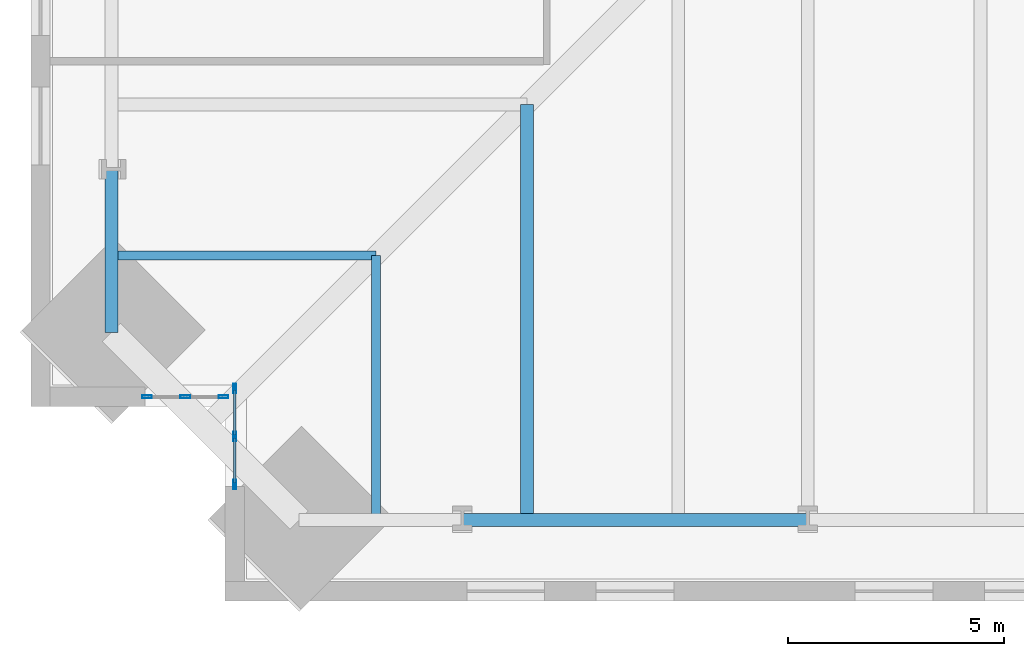
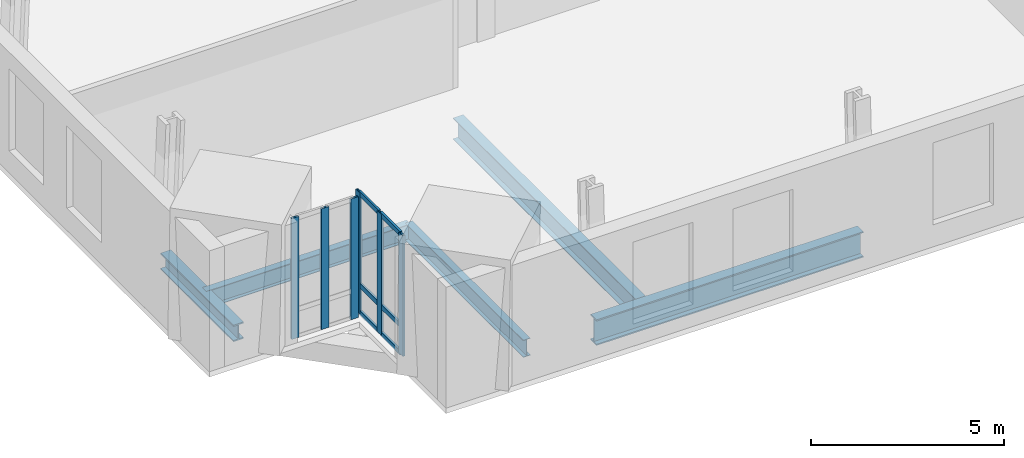
# One storey, part 2 of 18: 12 members, 5 beams, 2 elements without a shape of their own.
"""IFC4 building model written with IfcOpenShell, lengths in metres."""

import ifcopenshell
import ifcopenshell.guid

model = None  # the IFC model being written
_history = None  # IfcOwnerHistory: only IFC2X3 demands one
_inside = {}  # id of a spatial element -> (the spatial element, [elements in it])
_under = {}  # id of a project, library or spatial element -> (it, [spatial elements below it])
_declared = {}  # id of a project -> (the project, [libraries it declares])
_typed = {}  # id of a type object -> (the type object, [elements of that type])
_made_of = {}  # id of a material, layer set ... -> (it, [elements and type objects made of it])


def new_model(schema):
    """Start an empty IFC model of exactly this schema.

    Asked for "IFC4X3", IfcOpenShell would pick the latest addendum, in which some entities
    have other attributes; the version numbers below select the first issue.
    IFC2X3 requires an IfcOwnerHistory on every rooted entity: one is made here for all.
    """
    global model, _history
    if schema == "IFC4X3":
        model = ifcopenshell.file(schema_version=(4, 3, 0, 0))
    else:
        model = ifcopenshell.file(schema=schema)
    _inside.clear()
    _under.clear()
    _declared.clear()
    _typed.clear()
    _made_of.clear()
    _history = None
    if model.schema == "IFC2X3":
        org = make("IfcOrganization", Name="unknown")
        user = make(
            "IfcPersonAndOrganization",
            ThePerson=make("IfcPerson", FamilyName="unknown"),
            TheOrganization=org,
        )
        app = make(
            "IfcApplication",
            ApplicationDeveloper=org,
            Version="unknown",
            ApplicationFullName="unknown",
            ApplicationIdentifier="unknown",
        )
        _history = make(
            "IfcOwnerHistory",
            OwningUser=user,
            OwningApplication=app,
            ChangeAction="ADDED",
            CreationDate=0,
        )
    return model


def make(cls, **values):
    """One entity of the class cls with the attributes given. An attribute that is None is left unset."""
    return model.create_entity(
        cls, **{name: value for name, value in values.items() if value is not None}
    )


def rooted(cls, **values):
    """An entity with a GlobalId (a new one), such as an element, a storey or a relation."""
    return make(cls, GlobalId=ifcopenshell.guid.new(), OwnerHistory=_history, **values)


def si_unit(unit_type, name, prefix=None):
    """IfcSIUnit, for example si_unit("LENGTHUNIT", "METRE", prefix="MILLI")."""
    return make("IfcSIUnit", UnitType=unit_type, Prefix=prefix, Name=name)


def assignment(units):
    """IfcUnitAssignment: the units of a project."""
    return None if units is None else make("IfcUnitAssignment", Units=units)


def point(xyz):
    """IfcCartesianPoint."""
    return None if xyz is None else make("IfcCartesianPoint", Coordinates=xyz)


def direction(xyz):
    """IfcDirection."""
    return None if xyz is None else make("IfcDirection", DirectionRatios=xyz)


def frame(location, z_axis=None, x_axis=None):
    """IfcAxis2Placement3D, a coordinate frame: its origin and axes. An axis left out is left unset."""
    return make(
        "IfcAxis2Placement3D",
        Location=point(location),
        Axis=direction(z_axis),
        RefDirection=direction(x_axis),
    )


def frame_2d(location, x_axis=None):
    """IfcAxis2Placement2D, a coordinate frame in the plane: its origin and x axis."""
    return make(
        "IfcAxis2Placement2D", Location=point(location), RefDirection=direction(x_axis)
    )


def origin():
    """The frame at (0, 0, 0) with its axes left unset."""
    return frame((0.0, 0.0, 0.0))


def origin_2d():
    """The frame at (0, 0) in the plane with its x axis left unset."""
    return frame_2d((0.0, 0.0))


def place(relative_to, where):
    """IfcLocalPlacement: puts the frame where relative to a parent placement (None: the world)."""
    return make(
        "IfcLocalPlacement", PlacementRelTo=relative_to, RelativePlacement=where
    )


def context(
    kind, dimensions, precision=None, world=None, true_north=None, identifier=None
):
    """IfcGeometricRepresentationContext, for example the 3D "Model" context."""
    return make(
        "IfcGeometricRepresentationContext",
        ContextIdentifier=identifier,
        ContextType=kind,
        CoordinateSpaceDimension=dimensions,
        Precision=precision,
        WorldCoordinateSystem=world,
        TrueNorth=true_north,
    )


def subcontext(parent, identifier, kind, view, scale=None):
    """IfcGeometricRepresentationSubContext, for example "Body" below "Model"."""
    return make(
        "IfcGeometricRepresentationSubContext",
        ContextIdentifier=identifier,
        ContextType=kind,
        ParentContext=parent,
        TargetScale=scale,
        TargetView=view,
    )


def project(units=None, contexts=None):
    """IfcProject with its units and contexts."""
    return rooted(
        "IfcProject",
        Name="project",
        RepresentationContexts=contexts,
        UnitsInContext=assignment(units),
    )


def spatial(cls, under=None, at=None, **own):
    """A site, building, storey or space (cls), placed at a placement, below another one or the project."""
    s = rooted(cls, ObjectPlacement=at, **own)
    if under is not None:
        _under.setdefault(under.id(), (under, []))[1].append(s)
    return s


def profile(cls, at=None, kind="AREA", **sizes):
    """A parametric profile (cls). Its sizes go by their IFC names, for example OverallWidth=200.0."""
    return make(cls, ProfileType=kind, Position=at, **sizes)


def hollow_rectangle(**sizes):
    """IfcRectangleHollowProfileDef."""
    return profile("IfcRectangleHollowProfileDef", **sizes)


def i_section(**sizes):
    """IfcIShapeProfileDef."""
    return profile("IfcIShapeProfileDef", **sizes)


def extrude(swept, where, along, depth):
    """IfcExtrudedAreaSolid: the profile swept, set in the frame where, extruded along a direction by depth."""
    return make(
        "IfcExtrudedAreaSolid",
        SweptArea=swept,
        Position=where,
        ExtrudedDirection=direction(along),
        Depth=depth,
    )


def shape(context_of_items, identifier, shape_type, items):
    """IfcShapeRepresentation: the items that make up one representation, for example the "Body"."""
    return make(
        "IfcShapeRepresentation",
        ContextOfItems=context_of_items,
        RepresentationIdentifier=identifier,
        RepresentationType=shape_type,
        Items=items,
    )


def material(Name=None, Category=None):
    """IfcMaterial."""
    return make("IfcMaterial", Name=Name, Category=Category)


def material_profile(
    of_material, cross_section, Name=None, Category=None, Priority=None
):
    """IfcMaterialProfile: a cross section and its material."""
    return make(
        "IfcMaterialProfile",
        Name=Name,
        Material=of_material,
        Profile=cross_section,
        Priority=Priority,
        Category=Category,
    )


def profile_set(profiles, Name=None, composite=None):
    """IfcMaterialProfileSet."""
    return make(
        "IfcMaterialProfileSet",
        Name=Name,
        MaterialProfiles=profiles,
        CompositeProfile=composite,
    )


def made_of(thing, what):
    """Note that an element or type object is made of a material, layer set ...; save() writes the relation."""
    if what is not None:
        _made_of.setdefault(what.id(), (what, []))[1].append(thing)
    return thing


def type_object(cls, material=None, **own):
    """A type object (cls), such as IfcWallType, which elements share."""
    return made_of(rooted(cls, **own), material)


def element(
    cls,
    number,
    at=None,
    inside=None,
    cuts=None,
    type_object=None,
    material=None,
    context=None,
    identifier="Body",
    shape_type=None,
    held_by="IfcProductDefinitionShape",
    body=None,
    shapes=None,
    **own,
):
    """One element of the class cls, such as IfcWall. Its Tag is "e" and its number.

    at: its placement. inside: the storey or other place that contains it. cuts: it is an
    opening in that element (IfcRelVoidsElement). A single representation is given by context,
    identifier, shape_type and body (its items); several are given by shapes. held_by: the class
    of the entity that holds the representations. save() writes the other relations.
    """
    e = rooted(cls, Tag="e%d" % number, ObjectPlacement=at, **own)
    if body is not None:
        shapes = [shape(context, identifier, shape_type, body)]
    if shapes is not None:
        e.Representation = make(held_by, Representations=shapes)
    if inside is not None:
        _inside.setdefault(inside.id(), (inside, []))[1].append(e)
    if cuts is not None:
        rooted(
            "IfcRelVoidsElement", RelatingBuildingElement=cuts, RelatedOpeningElement=e
        )
    if type_object is not None:
        _typed.setdefault(type_object.id(), (type_object, []))[1].append(e)
    return made_of(e, material)


def aggregate(whole, parts):
    """IfcRelAggregates: a whole, such as a stair, and the parts it consists of."""
    return rooted("IfcRelAggregates", RelatingObject=whole, RelatedObjects=parts)


def save(model, path):
    """Write the relations noted so far, then the file.

    IfcRelAggregates (storeys below a building ...), IfcRelContainedInSpatialStructure (elements
    in a storey), IfcRelDefinesByType, IfcRelAssociatesMaterial and IfcRelDeclares: one each for
    every whole, place, type object, material and project.
    """
    for whole, parts in _under.values():
        aggregate(whole, parts)
    for where, things in _inside.values():
        rooted(
            "IfcRelContainedInSpatialStructure",
            RelatedElements=things,
            RelatingStructure=where,
        )
    for kind, things in _typed.values():
        rooted("IfcRelDefinesByType", RelatedObjects=things, RelatingType=kind)
    for what, things in _made_of.values():
        rooted("IfcRelAssociatesMaterial", RelatedObjects=things, RelatingMaterial=what)
    for by, libraries in _declared.values():
        rooted("IfcRelDeclares", RelatingContext=by, RelatedDefinitions=libraries)
    model.write(path)


model = new_model("IFC4")

# Units and contexts
model_context = context("Model", 3, precision=1e-05, world=origin(), true_north=direction((0.0, 1.0)))
body_context = subcontext(model_context, "Body", "Model", "MODEL_VIEW")
ifc_project = project(units=[si_unit("LENGTHUNIT", "METRE"), si_unit("AREAUNIT", "SQUARE_METRE"), si_unit("VOLUMEUNIT", "CUBIC_METRE"), si_unit("PLANEANGLEUNIT", "RADIAN"), si_unit("MASSUNIT", "GRAM", prefix="KILO")], contexts=[model_context])

# Site, building, storey
site_placement = place(None, origin())
site = spatial("IfcSite", under=ifc_project, at=site_placement, CompositionType="ELEMENT")
building_placement = place(site_placement, origin())
building = spatial("IfcBuilding", under=site, at=building_placement, Name="Peilmerk Tower", CompositionType="ELEMENT")
storey_placement = place(building_placement, frame((0.0, 0.0, 167.800048828125)))
storey = spatial("IfcBuildingStorey", under=building, at=storey_placement, Name="L35", CompositionType="ELEMENT", Elevation=167.800048828125)

# Beams
ifc_material_1 = material(Name="Steel S355", Category="steel")
ifc_material_profile_1 = material_profile(ifc_material_1, i_section(OverallWidth=0.2099609375, OverallDepth=0.550048828125, WebThickness=0.010986328125, FlangeThickness=0.01708984375, at=origin_2d()), Name="IPE 550")
ifc_profile_set_1 = profile_set([ifc_material_profile_1], Name="Steel S355")
beam_type_1 = type_object("IfcBeamType", Name="B12 IPE 550 floor beam", PredefinedType="BEAM", material=ifc_profile_set_1)
for number, where, z_axis, x_axis, name in (
    (1, (-18.0, -18.0, -0.445068359375), (0.0, -1.0, 0.0), (1.0, 0.0, 0.0), "Floor beam L35"),
    (2, (-18.0, -18.0, -0.445068359375), (-1.0, 0.0, 0.0), (0.0, -1.0, 0.0), "Floor beam L35"),
):
    element("IfcBeam", number, at=place(storey_placement, frame(where, z_axis=z_axis, x_axis=x_axis)), inside=storey, type_object=beam_type_1, Name=name, PredefinedType="BEAM", context=body_context, shape_type="SweptSolid", body=[
        extrude(i_section(OverallWidth=0.2099609375, OverallDepth=0.550048828125, WebThickness=0.010986328125, FlangeThickness=0.01708984375, at=origin_2d()), origin(), (0.0, 0.0, 1.0), 6.130615234375),
    ])
ifc_material_profile_2 = material_profile(ifc_material_1, i_section(OverallWidth=0.302978515625, OverallDepth=0.81396484375, WebThickness=0.02099609375, FlangeThickness=0.0400390625, at=origin_2d()), Name="HEM 800")
ifc_profile_set_2 = profile_set([ifc_material_profile_2], Name="Steel S355")
beam_type_2 = type_object("IfcBeamType", Name="B15 HEM 800 edge beam", PredefinedType="SPANDREL", material=ifc_profile_set_2)
beam_1_placement = place(storey_placement, frame((-16.0, -24.130615234375, -0.5771484375), z_axis=(1.0, 0.0, 0.0), x_axis=(0.0, 1.0, 0.0)))
element("IfcBeam", 3, at=beam_1_placement, inside=storey, type_object=beam_type_2, Name="Edge beam L35", PredefinedType="SPANDREL", context=body_context, shape_type="SweptSolid", body=[
    extrude(i_section(OverallWidth=0.302978515625, OverallDepth=0.81396484375, WebThickness=0.02099609375, FlangeThickness=0.0400390625, at=origin_2d()), origin(), (0.0, 0.0, 1.0), 8.0),
])
ifc_material_profile_3 = material_profile(ifc_material_1, i_section(OverallWidth=0.300048828125, OverallDepth=0.68994140625, WebThickness=0.014404296875, FlangeThickness=0.027099609375, at=origin_2d()), Name="HEA 700")
ifc_profile_set_3 = profile_set([ifc_material_profile_3], Name="Steel S355")
beam_type_3 = type_object("IfcBeamType", Name="B16 HEA 700 floor beam", PredefinedType="BEAM", material=ifc_profile_set_3)
beam_2_placement = place(storey_placement, frame((-14.5, -14.5, -0.51513671875), z_axis=(0.0, -1.0, 0.0), x_axis=(1.0, 0.0, 0.0)))
element("IfcBeam", 4, at=beam_2_placement, inside=storey, type_object=beam_type_3, Name="Floor beam L35", PredefinedType="BEAM", context=body_context, shape_type="SweptSolid", body=[
    extrude(i_section(OverallWidth=0.300048828125, OverallDepth=0.68994140625, WebThickness=0.014404296875, FlangeThickness=0.027099609375, at=origin_2d()), origin(), (0.0, 0.0, 1.0), 9.630615234375),
])
ifc_material_profile_4 = material_profile(ifc_material_1, i_section(OverallWidth=0.305908203125, OverallDepth=0.52392578125, WebThickness=0.02099609375, FlangeThickness=0.0400390625, at=origin_2d()), Name="HEM 500")
ifc_profile_set_4 = profile_set([ifc_material_profile_4], Name="Steel S355")
beam_type_4 = type_object("IfcBeamType", Name="B33 HEM 500 edge beam", PredefinedType="SPANDREL", material=ifc_profile_set_4)
beam_3_placement = place(storey_placement, frame((-24.130615234375, -16.0, -0.43212890625), z_axis=(0.0, -1.0, 0.0), x_axis=(1.0, 0.0, 0.0)))
element("IfcBeam", 5, at=beam_3_placement, inside=storey, type_object=beam_type_4, Name="Edge beam L35", PredefinedType="SPANDREL", context=body_context, shape_type="SweptSolid", body=[
    extrude(i_section(OverallWidth=0.305908203125, OverallDepth=0.52392578125, WebThickness=0.02099609375, FlangeThickness=0.0400390625, at=origin_2d()), origin(), (0.0, 0.0, 1.0), 3.78076171875),
])

# Curtain wall, members
ifc_material_2 = material(Name="Aluminium stick curtain wall", Category="aluminium")
curtain_wall_type = type_object("IfcCurtainWallType", Name="CW3 stick curtain wall, 2250 module", PredefinedType="NOTDEFINED", material=ifc_material_2)
curtain_wall_1_placement = place(storey_placement, origin())
curtain_wall_1 = element("IfcCurtainWall", 6, at=curtain_wall_1_placement, inside=storey, type_object=curtain_wall_type, Name="Curtain wall CW3 SWA L35", PredefinedType="NOTDEFINED")
ifc_material_3 = material(Name="Aluminium EN AW-6063 T6", Category="aluminium")
ifc_material_profile_5 = material_profile(ifc_material_3, hollow_rectangle(XDim=0.06494140625, YDim=0.22509765625, WallThickness=0.00390625, at=origin_2d()), Name="AL 225x65x4")
ifc_profile_set_5 = profile_set([ifc_material_profile_5], Name="Aluminium EN AW-6063 T6")
member_type_1 = type_object("IfcMemberType", Name="CW3-M AL 225x65x4 mullion", PredefinedType="MULLION", material=ifc_profile_set_5)
member_1_placement = place(storey_placement, frame((-21.27490234375, -21.08251953125, 0.0), z_axis=(0.0, 0.0, 1.0), x_axis=(1.0, 0.0, 0.0)))
member_1 = element("IfcMember", 7, at=member_1_placement, type_object=member_type_1, Name="CW3 mullion 1", PredefinedType="MULLION", context=body_context, shape_type="SweptSolid", body=[
    extrude(hollow_rectangle(XDim=0.06494140625, YDim=0.22509765625, WallThickness=0.00390625, at=origin_2d()), origin(), (0.0, 0.0, 1.0), 3.829833984375),
])
member_2_placement = place(storey_placement, frame((-21.27490234375, -22.1943359375, 0.0), z_axis=(0.0, 0.0, 1.0), x_axis=(1.0, 0.0, 0.0)))
member_2 = element("IfcMember", 8, at=member_2_placement, type_object=member_type_1, Name="CW3 mullion 2", PredefinedType="MULLION", context=body_context, shape_type="SweptSolid", body=[
    extrude(hollow_rectangle(XDim=0.06494140625, YDim=0.22509765625, WallThickness=0.00390625, at=origin_2d()), origin(), (0.0, 0.0, 1.0), 3.829833984375),
])
member_3_placement = place(storey_placement, frame((-21.27490234375, -23.30615234375, 0.0), z_axis=(0.0, 0.0, 1.0), x_axis=(1.0, 0.0, 0.0)))
member_3 = element("IfcMember", 9, at=member_3_placement, type_object=member_type_1, Name="CW3 mullion 3", PredefinedType="MULLION", context=body_context, shape_type="SweptSolid", body=[
    extrude(hollow_rectangle(XDim=0.06494140625, YDim=0.22509765625, WallThickness=0.00390625, at=origin_2d()), origin(), (0.0, 0.0, 1.0), 3.829833984375),
])

curtain_wall_2_placement = place(storey_placement, origin())
curtain_wall_2 = element("IfcCurtainWall", 10, at=curtain_wall_2_placement, inside=storey, type_object=curtain_wall_type, Name="Curtain wall CW3 SWB L35", PredefinedType="NOTDEFINED")
member_4_placement = place(storey_placement, frame((-21.532470703125, -21.27490234375, 0.0), z_axis=(0.0, 0.0, 1.0), x_axis=(0.0, -1.0, 0.0)))
member_4 = element("IfcMember", 11, at=member_4_placement, type_object=member_type_1, Name="CW3 mullion 1", PredefinedType="MULLION", context=body_context, shape_type="SweptSolid", body=[
    extrude(hollow_rectangle(XDim=0.06494140625, YDim=0.22509765625, WallThickness=0.00390625, at=origin_2d()), origin(), (0.0, 0.0, 1.0), 3.829833984375),
])
member_5_placement = place(storey_placement, frame((-22.41943359375, -21.27490234375, 0.0), z_axis=(0.0, 0.0, 1.0), x_axis=(0.0, -1.0, 0.0)))
member_5 = element("IfcMember", 12, at=member_5_placement, type_object=member_type_1, Name="CW3 mullion 2", PredefinedType="MULLION", context=body_context, shape_type="SweptSolid", body=[
    extrude(hollow_rectangle(XDim=0.06494140625, YDim=0.22509765625, WallThickness=0.00390625, at=origin_2d()), origin(), (0.0, 0.0, 1.0), 3.829833984375),
])
member_6_placement = place(storey_placement, frame((-23.30615234375, -21.27490234375, 0.0), z_axis=(0.0, 0.0, 1.0), x_axis=(0.0, -1.0, 0.0)))
member_6 = element("IfcMember", 13, at=member_6_placement, type_object=member_type_1, Name="CW3 mullion 3", PredefinedType="MULLION", context=body_context, shape_type="SweptSolid", body=[
    extrude(hollow_rectangle(XDim=0.06494140625, YDim=0.22509765625, WallThickness=0.00390625, at=origin_2d()), origin(), (0.0, 0.0, 1.0), 3.829833984375),
])
aggregate(curtain_wall_2, [member_4, member_5, member_6])

# Member
ifc_material_profile_6 = material_profile(ifc_material_3, hollow_rectangle(XDim=0.06494140625, YDim=0.14990234375, WallThickness=0.0029296875, at=origin_2d()), Name="AL 150x65x3")
ifc_profile_set_6 = profile_set([ifc_material_profile_6], Name="Aluminium EN AW-6063 T6")
member_type_2 = type_object("IfcMemberType", Name="CW3-T AL 150x65x3 transom", PredefinedType="USERDEFINED", material=ifc_profile_set_6)
member_7_placement = place(storey_placement, frame((-21.27490234375, -21.114990234375, 0.032470703125), z_axis=(0.0, -1.0, 0.0), x_axis=(1.0, 0.0, 0.0)))
member_7 = element("IfcMember", 14, at=member_7_placement, type_object=member_type_2, Name="CW3 transom 1.1", ObjectType="TRANSOM", PredefinedType="USERDEFINED", context=body_context, shape_type="SweptSolid", body=[
    extrude(hollow_rectangle(XDim=0.06494140625, YDim=0.14990234375, WallThickness=0.0029296875, at=origin_2d()), origin(), (0.0, 0.0, 1.0), 1.046875),
])

member_8_placement = place(storey_placement, frame((-21.27490234375, -21.114990234375, 0.89990234375), z_axis=(0.0, -1.0, 0.0), x_axis=(1.0, 0.0, 0.0)))
member_8 = element("IfcMember", 15, at=member_8_placement, type_object=member_type_2, Name="CW3 transom 1.2", ObjectType="TRANSOM", PredefinedType="USERDEFINED", context=body_context, shape_type="SweptSolid", body=[
    extrude(hollow_rectangle(XDim=0.06494140625, YDim=0.14990234375, WallThickness=0.0029296875, at=origin_2d()), origin(), (0.0, 0.0, 1.0), 1.046875),
])

member_9_placement = place(storey_placement, frame((-21.27490234375, -21.114990234375, 3.79736328125), z_axis=(0.0, -1.0, 0.0), x_axis=(1.0, 0.0, 0.0)))
member_9 = element("IfcMember", 16, at=member_9_placement, type_object=member_type_2, Name="CW3 transom 1.3", ObjectType="TRANSOM", PredefinedType="USERDEFINED", context=body_context, shape_type="SweptSolid", body=[
    extrude(hollow_rectangle(XDim=0.06494140625, YDim=0.14990234375, WallThickness=0.0029296875, at=origin_2d()), origin(), (0.0, 0.0, 1.0), 1.046875),
])

member_10_placement = place(storey_placement, frame((-21.27490234375, -22.226806640625, 0.032470703125), z_axis=(0.0, -1.0, 0.0), x_axis=(1.0, 0.0, 0.0)))
member_10 = element("IfcMember", 17, at=member_10_placement, type_object=member_type_2, Name="CW3 transom 2.1", ObjectType="TRANSOM", PredefinedType="USERDEFINED", context=body_context, shape_type="SweptSolid", body=[
    extrude(hollow_rectangle(XDim=0.06494140625, YDim=0.14990234375, WallThickness=0.0029296875, at=origin_2d()), origin(), (0.0, 0.0, 1.0), 1.046875),
])

member_11_placement = place(storey_placement, frame((-21.27490234375, -22.226806640625, 0.89990234375), z_axis=(0.0, -1.0, 0.0), x_axis=(1.0, 0.0, 0.0)))
member_11 = element("IfcMember", 18, at=member_11_placement, type_object=member_type_2, Name="CW3 transom 2.2", ObjectType="TRANSOM", PredefinedType="USERDEFINED", context=body_context, shape_type="SweptSolid", body=[
    extrude(hollow_rectangle(XDim=0.06494140625, YDim=0.14990234375, WallThickness=0.0029296875, at=origin_2d()), origin(), (0.0, 0.0, 1.0), 1.046875),
])

member_12_placement = place(storey_placement, frame((-21.27490234375, -22.226806640625, 3.79736328125), z_axis=(0.0, -1.0, 0.0), x_axis=(1.0, 0.0, 0.0)))
member_12 = element("IfcMember", 19, at=member_12_placement, type_object=member_type_2, Name="CW3 transom 2.3", ObjectType="TRANSOM", PredefinedType="USERDEFINED", context=body_context, shape_type="SweptSolid", body=[
    extrude(hollow_rectangle(XDim=0.06494140625, YDim=0.14990234375, WallThickness=0.0029296875, at=origin_2d()), origin(), (0.0, 0.0, 1.0), 1.046875),
])

aggregate(curtain_wall_1, [member_1, member_2, member_3, member_7, member_8, member_9, member_10, member_11, member_12])

save(model, "model.ifc")
